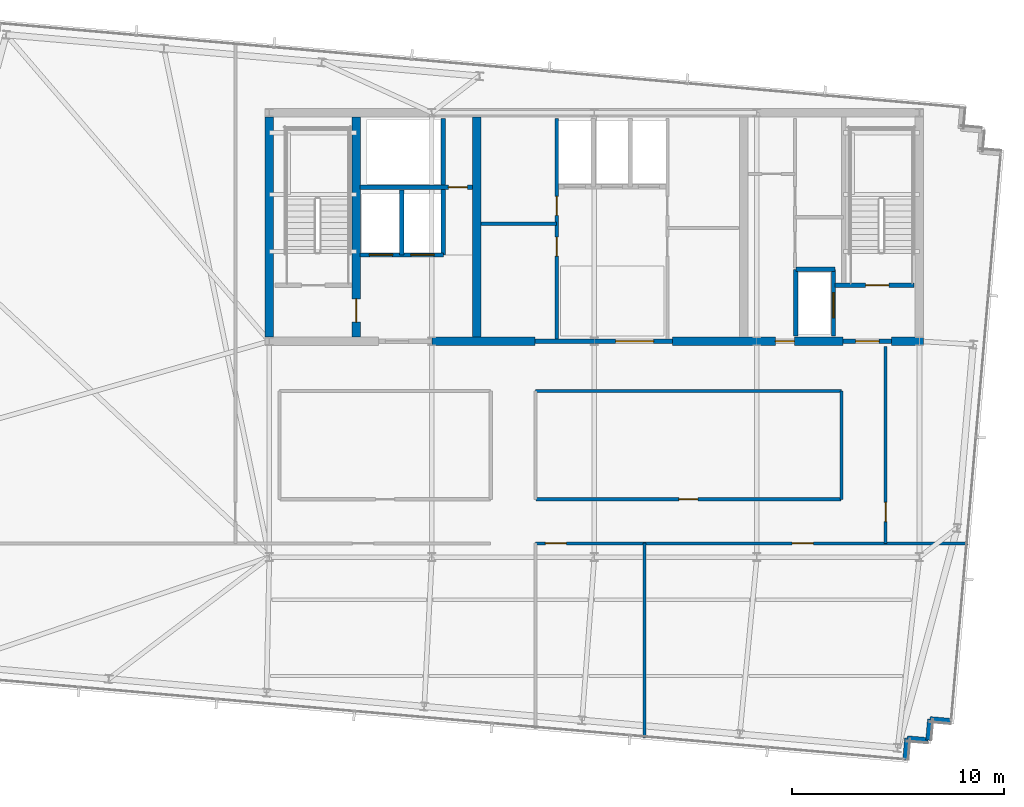
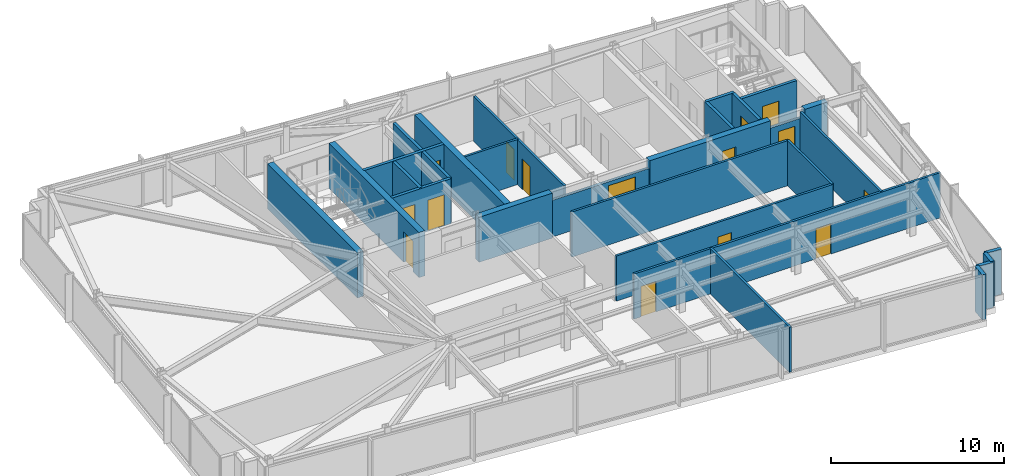
# One storey, part 27 of 32: 28 walls, 15 doors, 15 openings.
"""IFC4 building model written with IfcOpenShell, lengths in metres."""

from ifc_helpers import new_model, si_unit, direction, frame, frame_2d, origin, place, context, subcontext, project, spatial, rectangle, extrude, material, layer, layer_set, type_object, element, fill, save


model = new_model("IFC4")

# Units and contexts
model_context = context("Model", 3, precision=1e-05, world=origin(), true_north=direction((0.0, 1.0)))
body_context = subcontext(model_context, "Body", "Model", "MODEL_VIEW")
ifc_project = project(units=[si_unit("LENGTHUNIT", "METRE"), si_unit("AREAUNIT", "SQUARE_METRE"), si_unit("VOLUMEUNIT", "CUBIC_METRE"), si_unit("PLANEANGLEUNIT", "RADIAN"), si_unit("MASSUNIT", "GRAM", prefix="KILO")], contexts=[model_context])

# Site, building, storey
site_placement = place(None, origin())
site = spatial("IfcSite", under=ifc_project, at=site_placement, CompositionType="ELEMENT")
building_placement = place(site_placement, origin())
building = spatial("IfcBuilding", under=site, at=building_placement, Name="Yelkora Congress Tower", CompositionType="ELEMENT")
storey_placement = place(building_placement, frame((0.0, 0.0, 259.10009765625)))
storey = spatial("IfcBuildingStorey", under=building, at=storey_placement, Name="L72", CompositionType="ELEMENT", Elevation=259.10009765625)

# Wall
ifc_material_1 = material(Name="Concrete C50/60", Category="concrete")
ifc_layer_1 = layer(ifc_material_1, 0.39990234375)
ifc_layer_set_1 = layer_set([ifc_layer_1], Name="Concrete C50/60")
wall_type_1 = type_object("IfcWallType", Name="WALL-CORE-INT-400", PredefinedType="SHEAR", material=ifc_layer_set_1)
wall_1_placement = place(storey_placement, frame((30.719970703125, 35.39990234375, 0.0), z_axis=(0.0, 0.0, 1.0), x_axis=(1.0, 0.0, 0.0)))
element("IfcWall", 1, at=wall_1_placement, inside=storey, type_object=wall_type_1, Name="L72 Rear Core South-Center Shear Pier", PredefinedType="SHEAR", context=body_context, shape_type="SweptSolid", body=[
    extrude(rectangle(XDim=4.880126953125, YDim=0.39990234375, at=frame_2d((2.43994140625, 0.0))), origin(), (0.0, 0.0, 1.0), 3.179931640625),
])

# Wall, opening, door
wall_2_placement = place(storey_placement, frame((42.10009765625, 35.39990234375, 0.0), z_axis=(0.0, 0.0, 1.0), x_axis=(1.0, 0.0, 0.0)))
wall_2 = element("IfcWall", 2, at=wall_2_placement, inside=storey, type_object=wall_type_1, Name="L72 Rear Core South-East Shear Wall A", PredefinedType="SHEAR", context=body_context, shape_type="SweptSolid", body=[
    extrude(rectangle(XDim=8.0498046875, YDim=0.39990234375, at=frame_2d((4.02490234375, 0.0))), origin(), (0.0, 0.0, 1.0), 3.179931640625),
])
opening_1_placement = place(wall_2_placement, frame((4.85009765625, 0.0, 0.0)))
opening_1 = element("IfcOpeningElement", 3, at=opening_1_placement, cuts=wall_2, Name="Opening DR-090F6", PredefinedType="OPENING", context=body_context, shape_type="SweptSolid", body=[
    extrude(rectangle(XDim=0.89990234375, YDim=2.14990234375, at=frame_2d((0.449951171875, 1.074951171875))), frame((0.0, 0.2099609375, 0.0), z_axis=(0.0, -1.0, 0.0), x_axis=(1.0, 0.0, 0.0)), (0.0, 0.0, 1.0), 0.419921875),
])
ifc_material_2 = material(Name="Painted steel riser fire door leaf", Category="steel")
door_type_1 = type_object("IfcDoorType", Name="DOOR-FD60-900", OperationType="NOTDEFINED", PredefinedType="DOOR", material=ifc_material_2)
door_1_placement = place(opening_1_placement, origin())
door_1 = element("IfcDoor", 4, at=door_1_placement, inside=storey, type_object=door_type_1, Name="L72 Core Washroom Lobby Door", OperationType="SINGLE_SWING_RIGHT", OverallHeight=2.14990234375, OverallWidth=0.89990234375, PredefinedType="DOOR", context=body_context, shape_type="SweptSolid", body=[
    extrude(rectangle(XDim=0.89990234375, YDim=2.14990234375, at=frame_2d((0.449951171875, 1.074951171875))), frame((0.0, 0.02490234375, 0.0), z_axis=(0.0, -1.0, 0.0), x_axis=(1.0, 0.0, 0.0)), (0.0, 0.0, 1.0), 0.050048828125),
])
fill(opening_1, door_1)

# Walls
wall_3_placement = place(storey_placement, frame((52.449951171875, 35.39990234375, 0.0), z_axis=(0.0, 0.0, 1.0), x_axis=(1.0, 0.0, 0.0)))
element("IfcWall", 5, at=wall_3_placement, inside=storey, type_object=wall_type_1, Name="L72 Rear Core South-East Shear Wall B", PredefinedType="SHEAR", context=body_context, shape_type="SweptSolid", body=[
    extrude(rectangle(XDim=1.510009765625, YDim=0.39990234375, at=frame_2d((0.7548828125, 0.0))), origin(), (0.0, 0.0, 1.0), 3.179931640625),
])
wall_4_placement = place(storey_placement, frame((23.0400390625, 35.60009765625, 0.0), z_axis=(0.0, 0.0, 1.0), x_axis=(0.0, 1.0, 0.0)))
element("IfcWall", 6, at=wall_4_placement, inside=storey, type_object=wall_type_1, Name="L72 Rear Core Cross Shear Wall W", PredefinedType="SHEAR", context=body_context, shape_type="SweptSolid", body=[
    extrude(rectangle(XDim=10.39990234375, YDim=0.39990234375, at=frame_2d((5.199951171875, 0.0))), origin(), (0.0, 0.0, 1.0), 3.179931640625),
])

# Wall, opening, door
wall_5_placement = place(storey_placement, frame((27.14990234375, 35.60009765625, 0.0), z_axis=(0.0, 0.0, 1.0), x_axis=(0.0, 1.0, 0.0)))
wall_5 = element("IfcWall", 7, at=wall_5_placement, inside=storey, type_object=wall_type_1, Name="L72 Rear Core Cross Shear Wall C1", PredefinedType="SHEAR", context=body_context, shape_type="SweptSolid", body=[
    extrude(rectangle(XDim=10.39990234375, YDim=0.39990234375, at=frame_2d((5.199951171875, 0.0))), origin(), (0.0, 0.0, 1.0), 3.179931640625),
])
opening_2_placement = place(wall_5_placement, frame((0.699951171875, 0.0, 0.0)))
opening_2 = element("IfcOpeningElement", 8, at=opening_2_placement, cuts=wall_5, Name="Opening DR-110F9", PredefinedType="OPENING", context=body_context, shape_type="SweptSolid", body=[
    extrude(rectangle(XDim=1.10009765625, YDim=2.14990234375, at=frame_2d((0.550048828125, 1.074951171875))), frame((0.0, 0.2099609375, 0.0), z_axis=(0.0, -1.0, 0.0), x_axis=(1.0, 0.0, 0.0)), (0.0, 0.0, 1.0), 0.419921875),
])
ifc_material_3 = material(Name="Galvanised steel fire door leaf", Category="steel")
door_type_2 = type_object("IfcDoorType", Name="DOOR-FD90-1100", OperationType="NOTDEFINED", PredefinedType="DOOR", material=ifc_material_3)
door_2_placement = place(opening_2_placement, origin())
door_2 = element("IfcDoor", 9, at=door_2_placement, inside=storey, type_object=door_type_2, Name="L72 Firefighting Stair Transfer Door", OperationType="SINGLE_SWING_LEFT", OverallHeight=2.14990234375, OverallWidth=1.10009765625, PredefinedType="DOOR", context=body_context, shape_type="SweptSolid", body=[
    extrude(rectangle(XDim=1.10009765625, YDim=2.14990234375, at=frame_2d((0.550048828125, 1.074951171875))), frame((0.0, 0.02490234375, 0.0), z_axis=(0.0, -1.0, 0.0), x_axis=(1.0, 0.0, 0.0)), (0.0, 0.0, 1.0), 0.050048828125),
])
fill(opening_2, door_2)

# Walls
wall_6_placement = place(storey_placement, frame((32.85009765625, 35.60009765625, 0.0), z_axis=(0.0, 0.0, 1.0), x_axis=(0.0, 1.0, 0.0)))
element("IfcWall", 10, at=wall_6_placement, inside=storey, type_object=wall_type_1, Name="L72 Rear Core Cross Shear Wall C2", PredefinedType="SHEAR", context=body_context, shape_type="SweptSolid", body=[
    extrude(rectangle(XDim=10.39990234375, YDim=0.39990234375, at=frame_2d((5.199951171875, 0.0))), origin(), (0.0, 0.0, 1.0), 3.179931640625),
])
ifc_material_4 = material(Name="Concrete C40/50", Category="concrete")
ifc_layer_2 = layer(ifc_material_4, 0.239990234375)
ifc_layer_set_2 = layer_set([ifc_layer_2], Name="Concrete C40/50")
wall_type_2 = type_object("IfcWallType", Name="WALL-EXT-LIMESTONE-240", PredefinedType="SOLIDWALL", material=ifc_layer_set_2)
for number, where, z_axis, x_axis, name in (
    (11, (55.2578125, 17.458740234375, 0.0), (0.0, 0.0, 1.0), (-0.996193717496, 0.087166950281, 0.0), "L72 Serrated Corner Limestone Pier 16"),
    (12, (54.26171875, 17.5458984375, 0.0), (0.0, 0.0, 1.0), (-0.087166950281, -0.996193717496, 0.0), "L72 Serrated Corner Limestone Pier 17"),
):
    element("IfcWall", number, at=place(storey_placement, frame(where, z_axis=z_axis, x_axis=x_axis)), inside=storey, type_object=wall_type_2, Name=name, PredefinedType="SOLIDWALL", context=body_context, shape_type="SweptSolid", body=[
        extrude(rectangle(XDim=1.0, YDim=0.239990234375, at=frame_2d((0.5, 0.0))), origin(), (0.0, 0.0, 1.0), 3.179931640625),
    ])
for number, where, z_axis, x_axis, name in (
    (13, (54.174560546875, 16.5498046875, 0.0), (0.0, 0.0, 1.0), (-0.996195572005, 0.087145753297, 0.0), "L72 Serrated Corner Limestone Pier 18"),
    (14, (53.17822265625, 16.636962890625, 0.0), (0.0, 0.0, 1.0), (-0.087145753297, -0.996195572005, 0.0), "L72 Serrated Corner Limestone Pier 19"),
):
    element("IfcWall", number, at=place(storey_placement, frame(where, z_axis=z_axis, x_axis=x_axis)), inside=storey, type_object=wall_type_2, Name=name, PredefinedType="SOLIDWALL", context=body_context, shape_type="SweptSolid", body=[
        extrude(rectangle(XDim=1.000244140625, YDim=0.239990234375, at=frame_2d((0.5, 0.0))), origin(), (0.0, 0.0, 1.0), 3.179931640625),
    ])
ifc_material_5 = material(Name="Acoustic metal-stud gypsum partition", Category="gypsum")
ifc_layer_3 = layer(ifc_material_5, 0.14990234375)
ifc_layer_set_3 = layer_set([ifc_layer_3], Name="Acoustic metal-stud gypsum partition")
wall_type_3 = type_object("IfcWallType", Name="WALL-INT-150-NR", PredefinedType="PARTITIONING", material=ifc_layer_set_3)
wall_7_placement = place(storey_placement, frame((40.77392578125, 16.658203125, 0.0), z_axis=(0.0, 0.0, 1.0), x_axis=(0.0, 1.0, 0.0)))
element("IfcWall", 15, at=wall_7_placement, inside=storey, type_object=wall_type_3, Name="L72 Partition Wall 24", PredefinedType="PARTITIONING", context=body_context, shape_type="SweptSolid", body=[
    extrude(rectangle(XDim=9.2119140625, YDim=0.14990234375, at=frame_2d((4.60595703125, 0.0))), origin(), (0.0, 0.0, 1.0), 3.179931640625),
])

# Wall, openings, doors
wall_8_placement = place(storey_placement, frame((35.6201171875, 25.85009765625, 0.0), z_axis=(0.0, 0.0, 1.0), x_axis=(1.0, 0.0, 0.0)))
wall_8 = element("IfcWall", 16, at=wall_8_placement, inside=storey, type_object=wall_type_3, Name="L72 South Spine Wall East", PredefinedType="PARTITIONING", context=body_context, shape_type="SweptSolid", body=[
    extrude(rectangle(XDim=20.43212890625, YDim=0.14990234375, at=frame_2d((10.216064453125, 0.0))), origin(), (0.0, 0.0, 1.0), 3.179931640625),
])
opening_3_placement = place(wall_8_placement, frame((0.4599609375, 0.0, 0.0)))
opening_3 = element("IfcOpeningElement", 17, at=opening_3_placement, cuts=wall_8, Name="Opening DR-100N", PredefinedType="OPENING", context=body_context, shape_type="SweptSolid", body=[
    extrude(rectangle(XDim=1.0, YDim=2.14990234375, at=frame_2d((0.5, 1.074951171875))), frame((0.0, 0.0849609375, 0.0), z_axis=(0.0, -1.0, 0.0), x_axis=(1.0, 0.0, 0.0)), (0.0, 0.0, 1.0), 0.169921875),
])
opening_4_placement = place(wall_8_placement, frame((12.12548828125, 0.0, 0.0)))
opening_4 = element("IfcOpeningElement", 18, at=opening_4_placement, cuts=wall_8, Name="Opening DR-100N", PredefinedType="OPENING", context=body_context, shape_type="SweptSolid", body=[
    extrude(rectangle(XDim=1.0, YDim=2.14990234375, at=frame_2d((0.5, 1.074951171875))), frame((0.0, 0.0849609375, 0.0), z_axis=(0.0, -1.0, 0.0), x_axis=(1.0, 0.0, 0.0)), (0.0, 0.0, 1.0), 0.169921875),
])
ifc_material_6 = material(Name="Solid-core Anatolian oak veneer door", Category="wood")
door_type_3 = type_object("IfcDoorType", Name="DOOR-INT-1000", OperationType="NOTDEFINED", PredefinedType="DOOR", material=ifc_material_6)
door_3_placement = place(opening_3_placement, origin())
door_3 = element("IfcDoor", 19, at=door_3_placement, inside=storey, type_object=door_type_3, Name="L72 Refreshment Kitchen Door", OperationType="SINGLE_SWING_LEFT", OverallHeight=2.14990234375, OverallWidth=1.0, PredefinedType="DOOR", context=body_context, shape_type="SweptSolid", body=[
    extrude(rectangle(XDim=1.0, YDim=2.14990234375, at=frame_2d((0.5, 1.074951171875))), frame((0.0, 0.02490234375, 0.0), z_axis=(0.0, -1.0, 0.0), x_axis=(1.0, 0.0, 0.0)), (0.0, 0.0, 1.0), 0.050048828125),
])
fill(opening_3, door_3)
door_4_placement = place(opening_4_placement, origin())
door_4 = element("IfcDoor", 20, at=door_4_placement, inside=storey, type_object=door_type_3, Name="L72 Translation Studio Door", OperationType="SINGLE_SWING_RIGHT", OverallHeight=2.14990234375, OverallWidth=1.0, PredefinedType="DOOR", context=body_context, shape_type="SweptSolid", body=[
    extrude(rectangle(XDim=1.0, YDim=2.14990234375, at=frame_2d((0.5, 1.074951171875))), frame((0.0, 0.02490234375, 0.0), z_axis=(0.0, -1.0, 0.0), x_axis=(1.0, 0.0, 0.0)), (0.0, 0.0, 1.0), 0.050048828125),
])
fill(opening_4, door_4)

# Wall, opening, door
wall_9_placement = place(storey_placement, frame((52.159912109375, 25.85009765625, 0.0), z_axis=(0.0, 0.0, 1.0), x_axis=(0.0, 1.0, 0.0)))
wall_9 = element("IfcWall", 21, at=wall_9_placement, inside=storey, type_object=wall_type_3, Name="L72 Partition Wall 28", PredefinedType="PARTITIONING", context=body_context, shape_type="SweptSolid", body=[
    extrude(rectangle(XDim=9.289794921875, YDim=0.14990234375, at=frame_2d((4.64501953125, 0.0))), origin(), (0.0, 0.0, 1.0), 3.179931640625),
])
opening_5_placement = place(wall_9_placement, frame((1.030029296875, 0.0, 0.0)))
opening_5 = element("IfcOpeningElement", 22, at=opening_5_placement, cuts=wall_9, Name="Opening DR-090N", PredefinedType="OPENING", context=body_context, shape_type="SweptSolid", body=[
    extrude(rectangle(XDim=0.89990234375, YDim=2.14990234375, at=frame_2d((0.449951171875, 1.074951171875))), frame((0.0, 0.0849609375, 0.0), z_axis=(0.0, -1.0, 0.0), x_axis=(1.0, 0.0, 0.0)), (0.0, 0.0, 1.0), 0.169921875),
])
ifc_material_7 = material(Name="Moisture-resistant laminate door leaf", Category="wood")
door_type_4 = type_object("IfcDoorType", Name="DOOR-INT-900", OperationType="NOTDEFINED", PredefinedType="DOOR", material=ifc_material_7)
door_5_placement = place(opening_5_placement, origin())
door_5 = element("IfcDoor", 23, at=door_5_placement, inside=storey, type_object=door_type_4, Name="L72 E Wing Door", OperationType="SINGLE_SWING_RIGHT", OverallHeight=2.14990234375, OverallWidth=0.89990234375, PredefinedType="DOOR", context=body_context, shape_type="SweptSolid", body=[
    extrude(rectangle(XDim=0.89990234375, YDim=2.14990234375, at=frame_2d((0.449951171875, 1.074951171875))), frame((0.0, 0.02490234375, 0.0), z_axis=(0.0, -1.0, 0.0), x_axis=(1.0, 0.0, 0.0)), (0.0, 0.0, 1.0), 0.050048828125),
])
fill(opening_5, door_5)

# Walls
wall_10_placement = place(storey_placement, frame((50.080078125, 27.929931640625, 0.0), z_axis=(0.0, 0.0, 1.0), x_axis=(0.0, 1.0, 0.0)))
element("IfcWall", 24, at=wall_10_placement, inside=storey, type_object=wall_type_3, Name="L72 Partition Wall 30", PredefinedType="PARTITIONING", context=body_context, shape_type="SweptSolid", body=[
    extrude(rectangle(XDim=5.1201171875, YDim=0.14990234375, at=frame_2d((2.56005859375, 0.0))), origin(), (0.0, 0.0, 1.0), 3.179931640625),
])
wall_11_placement = place(storey_placement, frame((35.6201171875, 33.050048828125, 0.0), z_axis=(0.0, 0.0, 1.0), x_axis=(1.0, 0.0, 0.0)))
element("IfcWall", 25, at=wall_11_placement, inside=storey, type_object=wall_type_3, Name="L72 Partition Wall 34", PredefinedType="PARTITIONING", context=body_context, shape_type="SweptSolid", body=[
    extrude(rectangle(XDim=14.4599609375, YDim=0.14990234375, at=frame_2d((7.22998046875, 0.0))), origin(), (0.0, 0.0, 1.0), 3.179931640625),
])

# Wall, opening, door
wall_12_placement = place(storey_placement, frame((35.6298828125, 27.929931640625, 0.0), z_axis=(0.0, 0.0, 1.0), x_axis=(1.0, 0.0, 0.0)))
wall_12 = element("IfcWall", 26, at=wall_12_placement, inside=storey, type_object=wall_type_3, Name="L72 Partition Wall 36", PredefinedType="PARTITIONING", context=body_context, shape_type="SweptSolid", body=[
    extrude(rectangle(XDim=14.43017578125, YDim=0.14990234375, at=frame_2d((7.215087890625, 0.0))), origin(), (0.0, 0.0, 1.0), 3.179931640625),
])
opening_6_placement = place(wall_12_placement, frame((6.764892578125, 0.0, 0.0)))
opening_6 = element("IfcOpeningElement", 27, at=opening_6_placement, cuts=wall_12, Name="Opening DR-090N", PredefinedType="OPENING", context=body_context, shape_type="SweptSolid", body=[
    extrude(rectangle(XDim=0.89990234375, YDim=2.14990234375, at=frame_2d((0.449951171875, 1.074951171875))), frame((0.0, 0.0849609375, 0.0), z_axis=(0.0, -1.0, 0.0), x_axis=(1.0, 0.0, 0.0)), (0.0, 0.0, 1.0), 0.169921875),
])
door_6_placement = place(opening_6_placement, origin())
door_6 = element("IfcDoor", 28, at=door_6_placement, inside=storey, type_object=door_type_4, Name="L72 Business Concierge Office Door", OperationType="SINGLE_SWING_RIGHT", OverallHeight=2.14990234375, OverallWidth=0.89990234375, PredefinedType="DOOR", context=body_context, shape_type="SweptSolid", body=[
    extrude(rectangle(XDim=0.89990234375, YDim=2.14990234375, at=frame_2d((0.449951171875, 1.074951171875))), frame((0.0, 0.02490234375, 0.0), z_axis=(0.0, -1.0, 0.0), x_axis=(1.0, 0.0, 0.0)), (0.0, 0.0, 1.0), 0.050048828125),
])
fill(opening_6, door_6)

# Wall
ifc_material_8 = material(Name="Twin-stud fire-rated gypsum partition", Category="gypsum")
ifc_layer_4 = layer(ifc_material_8, 0.14990234375)
ifc_layer_set_4 = layer_set([ifc_layer_4], Name="Twin-stud fire-rated gypsum partition")
wall_type_4 = type_object("IfcWallType", Name="WALL-INT-150-R60", PredefinedType="PARTITIONING", material=ifc_layer_set_4)
wall_13_placement = place(storey_placement, frame((33.050048828125, 40.949951171875, 0.0), z_axis=(0.0, 0.0, 1.0), x_axis=(1.0, 0.0, 0.0)))
element("IfcWall", 29, at=wall_13_placement, inside=storey, type_object=wall_type_4, Name="L72 Partition Wall 11", PredefinedType="PARTITIONING", context=body_context, shape_type="SweptSolid", body=[
    extrude(rectangle(XDim=3.570068359375, YDim=0.14990234375, at=frame_2d((1.78515625, 0.0))), origin(), (0.0, 0.0, 1.0), 3.179931640625),
])

# Wall, openings, doors
wall_14_placement = place(storey_placement, frame((36.6201171875, 35.5, 0.0), z_axis=(0.0, 0.0, 1.0), x_axis=(0.0, 1.0, 0.0)))
wall_14 = element("IfcWall", 30, at=wall_14_placement, inside=storey, type_object=wall_type_4, Name="L72 Partition Wall 12", PredefinedType="PARTITIONING", context=body_context, shape_type="SweptSolid", body=[
    extrude(rectangle(XDim=10.419921875, YDim=0.14990234375, at=frame_2d((5.2099609375, 0.0))), origin(), (0.0, 0.0, 1.0), 3.179931640625),
])
opening_7_placement = place(wall_14_placement, frame((3.919921875, 0.0, 0.0)))
opening_7 = element("IfcOpeningElement", 31, at=opening_7_placement, cuts=wall_14, Name="Opening DR-090F6", PredefinedType="OPENING", context=body_context, shape_type="SweptSolid", body=[
    extrude(rectangle(XDim=0.89990234375, YDim=2.14990234375, at=frame_2d((0.449951171875, 1.074951171875))), frame((0.0, 0.0849609375, 0.0), z_axis=(0.0, -1.0, 0.0), x_axis=(1.0, 0.0, 0.0)), (0.0, 0.0, 1.0), 0.169921875),
])
opening_8_placement = place(wall_14_placement, frame((5.85009765625, 0.0, 0.0)))
opening_8 = element("IfcOpeningElement", 32, at=opening_8_placement, cuts=wall_14, Name="Opening DR-090F6", PredefinedType="OPENING", context=body_context, shape_type="SweptSolid", body=[
    extrude(rectangle(XDim=0.89990234375, YDim=2.14990234375, at=frame_2d((0.449951171875, 1.074951171875))), frame((0.0, 0.0849609375, 0.0), z_axis=(0.0, -1.0, 0.0), x_axis=(1.0, 0.0, 0.0)), (0.0, 0.0, 1.0), 0.169921875),
])
door_7_placement = place(opening_7_placement, origin())
door_7 = element("IfcDoor", 33, at=door_7_placement, inside=storey, type_object=door_type_1, Name="L72 Telecom Store Door", OperationType="SINGLE_SWING_RIGHT", OverallHeight=2.14990234375, OverallWidth=0.89990234375, PredefinedType="DOOR", context=body_context, shape_type="SweptSolid", body=[
    extrude(rectangle(XDim=0.89990234375, YDim=2.14990234375, at=frame_2d((0.449951171875, 1.074951171875))), frame((0.0, 0.02490234375, 0.0), z_axis=(0.0, -1.0, 0.0), x_axis=(1.0, 0.0, 0.0)), (0.0, 0.0, 1.0), 0.050048828125),
])
fill(opening_7, door_7)
door_8_placement = place(opening_8_placement, origin())
door_8 = element("IfcDoor", 34, at=door_8_placement, inside=storey, type_object=door_type_1, Name="L72 Archive Store Door", OperationType="SINGLE_SWING_LEFT", OverallHeight=2.14990234375, OverallWidth=0.89990234375, PredefinedType="DOOR", context=body_context, shape_type="SweptSolid", body=[
    extrude(rectangle(XDim=0.89990234375, YDim=2.14990234375, at=frame_2d((0.449951171875, 1.074951171875))), frame((0.0, 0.02490234375, 0.0), z_axis=(0.0, -1.0, 0.0), x_axis=(1.0, 0.0, 0.0)), (0.0, 0.0, 1.0), 0.050048828125),
])
fill(opening_8, door_8)

ifc_material_9 = material(Name="Autoclaved aerated concrete blockwork", Category="masonry")
ifc_layer_5 = layer(ifc_material_9, 0.199951171875)
ifc_layer_set_5 = layer_set([ifc_layer_5], Name="Autoclaved aerated concrete blockwork")
wall_type_5 = type_object("IfcWallType", Name="WALL-INT-200-R120", PredefinedType="PARTITIONING", material=ifc_layer_set_5)
wall_15_placement = place(storey_placement, frame((27.320068359375, 39.47998046875, 0.0), z_axis=(0.0, 0.0, 1.0), x_axis=(1.0, 0.0, 0.0)))
wall_15 = element("IfcWall", 35, at=wall_15_placement, inside=storey, type_object=wall_type_5, Name="L72 Firefighting Lift Front Wall", PredefinedType="PARTITIONING", context=body_context, shape_type="SweptSolid", body=[
    extrude(rectangle(XDim=3.93994140625, YDim=0.199951171875, at=frame_2d((1.969970703125, 0.0))), origin(), (0.0, 0.0, 1.0), 3.179931640625),
])
opening_9_placement = place(wall_15_placement, frame((0.449951171875, 0.0, 0.0)))
opening_9 = element("IfcOpeningElement", 36, at=opening_9_placement, cuts=wall_15, Name="Opening LD-FF11", PredefinedType="OPENING", context=body_context, shape_type="SweptSolid", body=[
    extrude(rectangle(XDim=1.10009765625, YDim=2.199951171875, at=frame_2d((0.550048828125, 1.10009765625))), frame((0.0, 0.10986328125, 0.0), z_axis=(0.0, -1.0, 0.0), x_axis=(1.0, 0.0, 0.0)), (0.0, 0.0, 1.0), 0.219970703125),
])
opening_10_placement = place(wall_15_placement, frame((2.409912109375, 0.0, 0.0)))
opening_10 = element("IfcOpeningElement", 37, at=opening_10_placement, cuts=wall_15, Name="Opening LD-FF11", PredefinedType="OPENING", context=body_context, shape_type="SweptSolid", body=[
    extrude(rectangle(XDim=1.10009765625, YDim=2.199951171875, at=frame_2d((0.550048828125, 1.10009765625))), frame((0.0, 0.10986328125, 0.0), z_axis=(0.0, -1.0, 0.0), x_axis=(1.0, 0.0, 0.0)), (0.0, 0.0, 1.0), 0.219970703125),
])
ifc_material_10 = material(Name="Brushed stainless steel 316L landing door", Category="steel")
door_type_5 = type_object("IfcDoorType", Name="DOOR-LIFT-FF-1100", OperationType="DOUBLE_DOOR_SLIDING", PredefinedType="DOOR", material=ifc_material_10)
door_9_placement = place(opening_9_placement, origin())
door_9 = element("IfcDoor", 38, at=door_9_placement, inside=storey, type_object=door_type_5, Name="Lift Landing Door LF-FF1 L72", OperationType="DOUBLE_DOOR_SLIDING", OverallHeight=2.199951171875, OverallWidth=1.10009765625, PredefinedType="DOOR", context=body_context, shape_type="SweptSolid", body=[
    extrude(rectangle(XDim=1.10009765625, YDim=2.199951171875, at=frame_2d((0.550048828125, 1.10009765625))), frame((0.0, 0.02490234375, 0.0), z_axis=(0.0, -1.0, 0.0), x_axis=(1.0, 0.0, 0.0)), (0.0, 0.0, 1.0), 0.050048828125),
])
fill(opening_9, door_9)
door_10_placement = place(opening_10_placement, origin())
door_10 = element("IfcDoor", 39, at=door_10_placement, inside=storey, type_object=door_type_5, Name="Lift Landing Door LF-FF2 L72", OperationType="DOUBLE_DOOR_SLIDING", OverallHeight=2.199951171875, OverallWidth=1.10009765625, PredefinedType="DOOR", context=body_context, shape_type="SweptSolid", body=[
    extrude(rectangle(XDim=1.10009765625, YDim=2.199951171875, at=frame_2d((0.550048828125, 1.10009765625))), frame((0.0, 0.02490234375, 0.0), z_axis=(0.0, -1.0, 0.0), x_axis=(1.0, 0.0, 0.0)), (0.0, 0.0, 1.0), 0.050048828125),
])
fill(opening_10, door_10)

# Walls
wall_16_placement = place(storey_placement, frame((29.300048828125, 39.47998046875, 0.0), z_axis=(0.0, 0.0, 1.0), x_axis=(0.0, 1.0, 0.0)))
element("IfcWall", 40, at=wall_16_placement, inside=storey, type_object=wall_type_5, Name="L72 Partition Wall 4", PredefinedType="PARTITIONING", context=body_context, shape_type="SweptSolid", body=[
    extrude(rectangle(XDim=3.070068359375, YDim=0.199951171875, at=frame_2d((1.53515625, 0.0))), origin(), (0.0, 0.0, 1.0), 3.179931640625),
])
wall_17_placement = place(storey_placement, frame((31.260009765625, 39.47998046875, 0.0), z_axis=(0.0, 0.0, 1.0), x_axis=(0.0, 1.0, 0.0)))
element("IfcWall", 41, at=wall_17_placement, inside=storey, type_object=wall_type_5, Name="L72 Partition Wall 5", PredefinedType="PARTITIONING", context=body_context, shape_type="SweptSolid", body=[
    extrude(rectangle(XDim=6.43994140625, YDim=0.199951171875, at=frame_2d((3.219970703125, 0.0))), origin(), (0.0, 0.0, 1.0), 3.179931640625),
])

# Wall, opening, door
wall_18_placement = place(storey_placement, frame((27.320068359375, 42.679931640625, 0.0), z_axis=(0.0, 0.0, 1.0), x_axis=(1.0, 0.0, 0.0)))
wall_18 = element("IfcWall", 42, at=wall_18_placement, inside=storey, type_object=wall_type_5, Name="L72 Smoke Riser South Wall", PredefinedType="PARTITIONING", context=body_context, shape_type="SweptSolid", body=[
    extrude(rectangle(XDim=5.329833984375, YDim=0.199951171875, at=frame_2d((2.6650390625, 0.0))), origin(), (0.0, 0.0, 1.0), 3.179931640625),
])
opening_11_placement = place(wall_18_placement, frame((4.179931640625, 0.0, 0.0)))
opening_11 = element("IfcOpeningElement", 43, at=opening_11_placement, cuts=wall_18, Name="Opening DR-090F6", PredefinedType="OPENING", context=body_context, shape_type="SweptSolid", body=[
    extrude(rectangle(XDim=0.89990234375, YDim=2.14990234375, at=frame_2d((0.449951171875, 1.074951171875))), frame((0.0, 0.10986328125, 0.0), z_axis=(0.0, -1.0, 0.0), x_axis=(1.0, 0.0, 0.0)), (0.0, 0.0, 1.0), 0.219970703125),
])
door_11_placement = place(opening_11_placement, origin())
door_11 = element("IfcDoor", 44, at=door_11_placement, inside=storey, type_object=door_type_1, Name="L72 Riser Access Door", OperationType="SINGLE_SWING_LEFT", OverallHeight=2.14990234375, OverallWidth=0.89990234375, PredefinedType="DOOR", context=body_context, shape_type="SweptSolid", body=[
    extrude(rectangle(XDim=0.89990234375, YDim=2.14990234375, at=frame_2d((0.449951171875, 1.074951171875))), frame((0.0, 0.02490234375, 0.0), z_axis=(0.0, -1.0, 0.0), x_axis=(1.0, 0.0, 0.0)), (0.0, 0.0, 1.0), 0.050048828125),
])
fill(opening_11, door_11)

wall_19_placement = place(storey_placement, frame((35.60009765625, 35.39990234375, 0.0), z_axis=(0.0, 0.0, 1.0), x_axis=(1.0, 0.0, 0.0)))
wall_19 = element("IfcWall", 45, at=wall_19_placement, inside=storey, type_object=wall_type_5, Name="L72 Main Lift Lobby South Portal Wall", PredefinedType="PARTITIONING", context=body_context, shape_type="SweptSolid", body=[
    extrude(rectangle(XDim=6.5, YDim=0.199951171875, at=frame_2d((3.25, 0.0))), origin(), (0.0, 0.0, 1.0), 2.574951171875),
])
opening_12_placement = place(wall_19_placement, frame((3.800048828125, 0.0, 0.0)))
opening_12 = element("IfcOpeningElement", 46, at=opening_12_placement, cuts=wall_19, Name="Opening DR-180D", PredefinedType="OPENING", context=body_context, shape_type="SweptSolid", body=[
    extrude(rectangle(XDim=1.800048828125, YDim=2.300048828125, at=frame_2d((0.89990234375, 1.14990234375))), frame((0.0, 0.10986328125, 0.0), z_axis=(0.0, -1.0, 0.0), x_axis=(1.0, 0.0, 0.0)), (0.0, 0.0, 1.0), 0.219970703125),
])
ifc_material_11 = material(Name="Acoustic double congress hall doors", Category="wood")
door_type_6 = type_object("IfcDoorType", Name="DOOR-DBL-1800", OperationType="DOUBLE_DOOR_SINGLE_SWING", PredefinedType="DOOR", material=ifc_material_11)
door_12_placement = place(opening_12_placement, origin())
door_12 = element("IfcDoor", 47, at=door_12_placement, inside=storey, type_object=door_type_6, Name="L72 Main Lift Lobby Portal Door", OperationType="DOUBLE_DOOR_SINGLE_SWING", OverallHeight=2.300048828125, OverallWidth=1.800048828125, PredefinedType="DOOR", context=body_context, shape_type="SweptSolid", body=[
    extrude(rectangle(XDim=1.800048828125, YDim=2.300048828125, at=frame_2d((0.89990234375, 1.14990234375))), frame((0.0, 0.02490234375, 0.0), z_axis=(0.0, -1.0, 0.0), x_axis=(1.0, 0.0, 0.0)), (0.0, 0.0, 1.0), 0.050048828125),
])
fill(opening_12, door_12)

wall_20_placement = place(storey_placement, frame((49.780029296875, 38.050048828125, 0.0), z_axis=(0.0, 0.0, 1.0), x_axis=(1.0, 0.0, 0.0)))
wall_20 = element("IfcWall", 48, at=wall_20_placement, inside=storey, type_object=wall_type_5, Name="L72 Stair ST-02 Enclosure Wall", PredefinedType="PARTITIONING", context=body_context, shape_type="SweptSolid", body=[
    extrude(rectangle(XDim=3.719970703125, YDim=0.199951171875, at=frame_2d((1.85986328125, 0.0))), origin(), (0.0, 0.0, 1.0), 3.179931640625),
])
opening_13_placement = place(wall_20_placement, frame((1.436279296875, 0.0, 0.0)))
opening_13 = element("IfcOpeningElement", 49, at=opening_13_placement, cuts=wall_20, Name="Opening DR-110F9", PredefinedType="OPENING", context=body_context, shape_type="SweptSolid", body=[
    extrude(rectangle(XDim=1.10009765625, YDim=2.14990234375, at=frame_2d((0.550048828125, 1.074951171875))), frame((0.0, 0.10986328125, 0.0), z_axis=(0.0, -1.0, 0.0), x_axis=(1.0, 0.0, 0.0)), (0.0, 0.0, 1.0), 0.219970703125),
])
door_13_placement = place(opening_13_placement, origin())
door_13 = element("IfcDoor", 50, at=door_13_placement, inside=storey, type_object=door_type_2, Name="L72 Stair ST-02 Entry Door", OperationType="SINGLE_SWING_RIGHT", OverallHeight=2.14990234375, OverallWidth=1.10009765625, PredefinedType="DOOR", context=body_context, shape_type="SweptSolid", body=[
    extrude(rectangle(XDim=1.10009765625, YDim=2.14990234375, at=frame_2d((0.550048828125, 1.074951171875))), frame((0.0, 0.02490234375, 0.0), z_axis=(0.0, -1.0, 0.0), x_axis=(1.0, 0.0, 0.0)), (0.0, 0.0, 1.0), 0.050048828125),
])
fill(opening_13, door_13)

wall_21_placement = place(storey_placement, frame((50.14990234375, 35.39990234375, 0.0), z_axis=(0.0, 0.0, 1.0), x_axis=(1.0, 0.0, 0.0)))
wall_21 = element("IfcWall", 51, at=wall_21_placement, inside=storey, type_object=wall_type_5, Name="L72 Partition Wall 16", PredefinedType="PARTITIONING", context=body_context, shape_type="SweptSolid", body=[
    extrude(rectangle(XDim=2.300048828125, YDim=0.199951171875, at=frame_2d((1.14990234375, 0.0))), origin(), (0.0, 0.0, 1.0), 2.574951171875),
])
opening_14_placement = place(wall_21_placement, frame((0.60009765625, 0.0, 0.0)))
opening_14 = element("IfcOpeningElement", 52, at=opening_14_placement, cuts=wall_21, Name="Opening DR-110F9", PredefinedType="OPENING", context=body_context, shape_type="SweptSolid", body=[
    extrude(rectangle(XDim=1.10009765625, YDim=2.14990234375, at=frame_2d((0.550048828125, 1.074951171875))), frame((0.0, 0.10986328125, 0.0), z_axis=(0.0, -1.0, 0.0), x_axis=(1.0, 0.0, 0.0)), (0.0, 0.0, 1.0), 0.219970703125),
])
door_14_placement = place(opening_14_placement, origin())
door_14 = element("IfcDoor", 53, at=door_14_placement, inside=storey, type_object=door_type_2, Name="L72 East Stair Lobby Door", OperationType="SINGLE_SWING_LEFT", OverallHeight=2.14990234375, OverallWidth=1.10009765625, PredefinedType="DOOR", context=body_context, shape_type="SweptSolid", body=[
    extrude(rectangle(XDim=1.10009765625, YDim=2.14990234375, at=frame_2d((0.550048828125, 1.074951171875))), frame((0.0, 0.02490234375, 0.0), z_axis=(0.0, -1.0, 0.0), x_axis=(1.0, 0.0, 0.0)), (0.0, 0.0, 1.0), 0.050048828125),
])
fill(opening_14, door_14)

wall_22_placement = place(storey_placement, frame((49.699951171875, 35.64990234375, 0.0), z_axis=(0.0, 0.0, 1.0), x_axis=(0.0, 1.0, 0.0)))
wall_22 = element("IfcWall", 54, at=wall_22_placement, inside=storey, type_object=wall_type_5, Name="L72 Partition Wall 17", PredefinedType="PARTITIONING", context=body_context, shape_type="SweptSolid", body=[
    extrude(rectangle(XDim=3.150146484375, YDim=0.199951171875, at=frame_2d((1.5751953125, 0.0))), origin(), (0.0, 0.0, 1.0), 3.179931640625),
])
opening_15_placement = place(wall_22_placement, frame((0.85009765625, 0.0, 0.0)))
opening_15 = element("IfcOpeningElement", 55, at=opening_15_placement, cuts=wall_22, Name="Opening LD-SV12", PredefinedType="OPENING", context=body_context, shape_type="SweptSolid", body=[
    extrude(rectangle(XDim=1.199951171875, YDim=2.199951171875, at=frame_2d((0.60009765625, 1.10009765625))), frame((0.0, 0.10986328125, 0.0), z_axis=(0.0, -1.0, 0.0), x_axis=(1.0, 0.0, 0.0)), (0.0, 0.0, 1.0), 0.219970703125),
])
ifc_material_12 = material(Name="Heavy-duty stainless steel landing door", Category="steel")
door_type_7 = type_object("IfcDoorType", Name="DOOR-LIFT-SRV-1200", OperationType="DOUBLE_DOOR_SLIDING", PredefinedType="DOOR", material=ifc_material_12)
door_15_placement = place(opening_15_placement, origin())
door_15 = element("IfcDoor", 56, at=door_15_placement, inside=storey, type_object=door_type_7, Name="Service Lift Landing Door LF-SV1 L72", OperationType="DOUBLE_DOOR_SLIDING", OverallHeight=2.199951171875, OverallWidth=1.199951171875, PredefinedType="DOOR", context=body_context, shape_type="SweptSolid", body=[
    extrude(rectangle(XDim=1.199951171875, YDim=2.199951171875, at=frame_2d((0.60009765625, 1.10009765625))), frame((0.0, 0.02490234375, 0.0), z_axis=(0.0, -1.0, 0.0), x_axis=(1.0, 0.0, 0.0)), (0.0, 0.0, 1.0), 0.050048828125),
])
fill(opening_15, door_15)

# Walls
wall_23_placement = place(storey_placement, frame((47.919921875, 35.64990234375, 0.0), z_axis=(0.0, 0.0, 1.0), x_axis=(0.0, 1.0, 0.0)))
element("IfcWall", 57, at=wall_23_placement, inside=storey, type_object=wall_type_5, Name="L72 Partition Wall 18", PredefinedType="PARTITIONING", context=body_context, shape_type="SweptSolid", body=[
    extrude(rectangle(XDim=3.150146484375, YDim=0.199951171875, at=frame_2d((1.5751953125, 0.0))), origin(), (0.0, 0.0, 1.0), 3.179931640625),
])
wall_24_placement = place(storey_placement, frame((47.919921875, 38.800048828125, 0.0), z_axis=(0.0, 0.0, 1.0), x_axis=(1.0, 0.0, 0.0)))
element("IfcWall", 58, at=wall_24_placement, inside=storey, type_object=wall_type_5, Name="L72 Partition Wall 19", PredefinedType="PARTITIONING", context=body_context, shape_type="SweptSolid", body=[
    extrude(rectangle(XDim=1.860107421875, YDim=0.199951171875, at=frame_2d((0.93017578125, 0.0))), origin(), (0.0, 0.0, 1.0), 3.179931640625),
])

save(model, "model.ifc")
